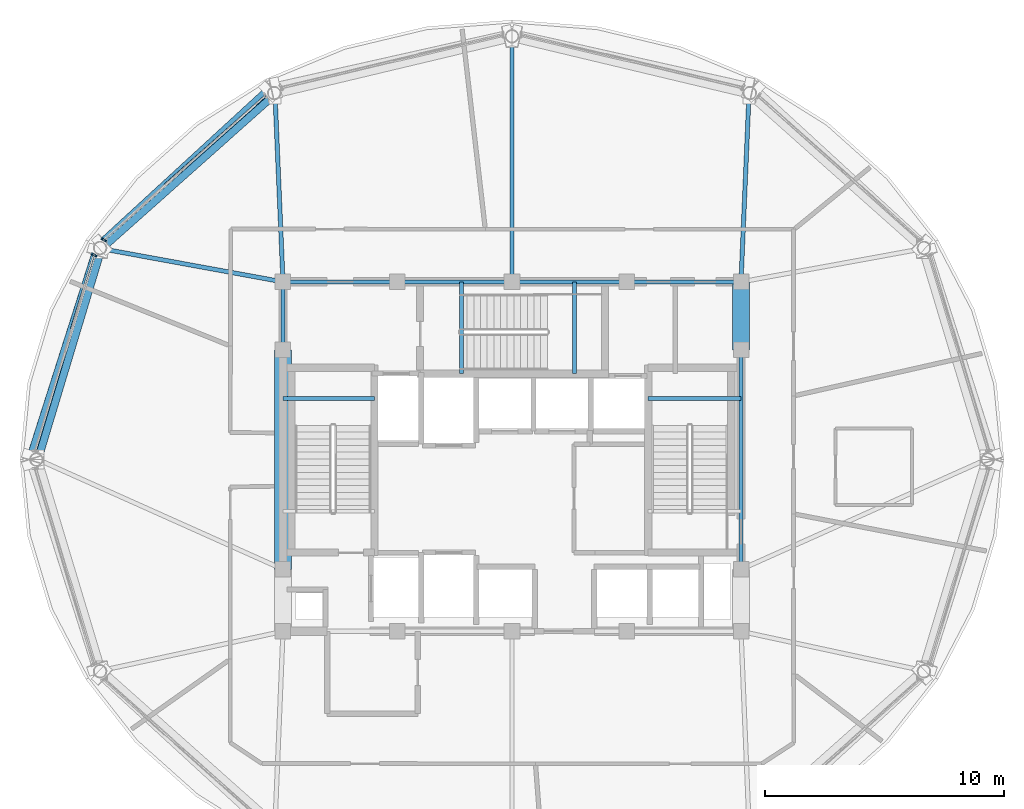
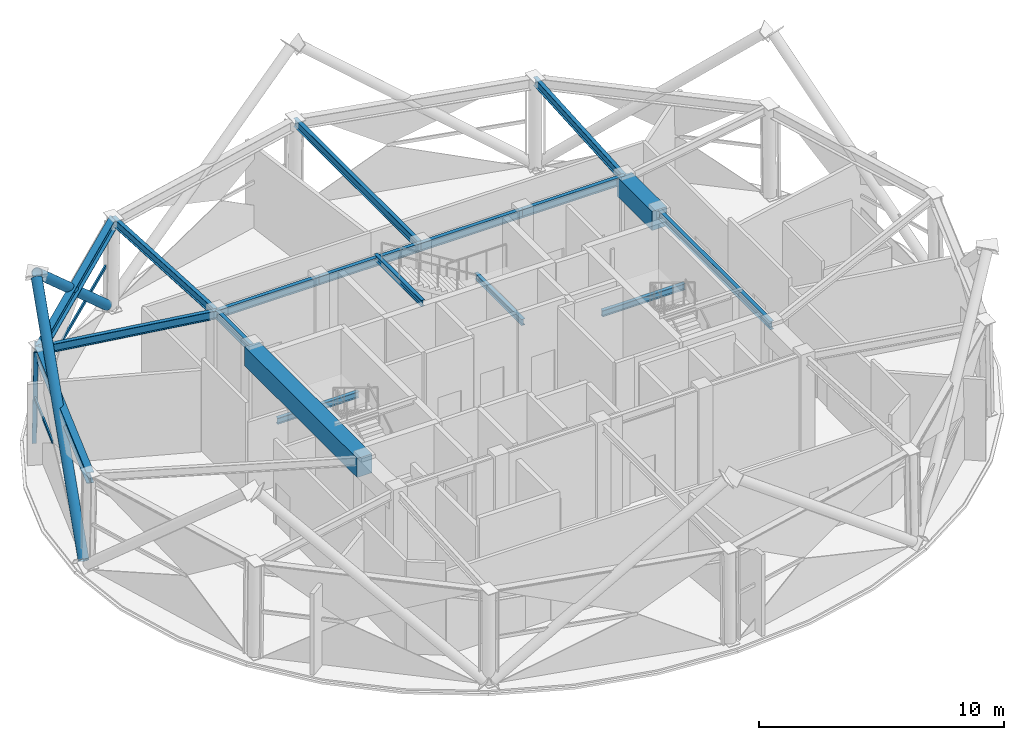
# One storey, part 3 of 14: 18 beams, 6 members, 2 elements without a shape of their own.
"""IFC4 building model written with IfcOpenShell, lengths in metres."""

from ifc_helpers import new_model, si_unit, direction, frame, origin, origin_2d, place, context, subcontext, project, spatial, rectangle, hollow_rectangle, hollow_circle, i_section, extrude, material, layer, layer_set, material_profile, profile_set, type_object, element, aggregate, save


model = new_model("IFC4")

# Units and contexts
model_context = context("Model", 3, precision=1e-05, world=origin(), true_north=direction((0.0, 1.0)))
body_context = subcontext(model_context, "Body", "Model", "MODEL_VIEW")
ifc_project = project(units=[si_unit("LENGTHUNIT", "METRE"), si_unit("AREAUNIT", "SQUARE_METRE"), si_unit("VOLUMEUNIT", "CUBIC_METRE"), si_unit("PLANEANGLEUNIT", "RADIAN"), si_unit("MASSUNIT", "GRAM", prefix="KILO")], contexts=[model_context])

# Site, building, storey
site_placement = place(None, origin())
site = spatial("IfcSite", under=ifc_project, at=site_placement, CompositionType="ELEMENT")
building_placement = place(site_placement, origin())
building = spatial("IfcBuilding", under=site, at=building_placement, Name="Vantalir Tower", CompositionType="ELEMENT")
storey_placement = place(building_placement, frame((0.0, 0.0, 259.050048828125)))
storey = spatial("IfcBuildingStorey", under=building, at=storey_placement, Name="L65", CompositionType="ELEMENT", Elevation=259.050048828125)

# Beams
ifc_material_1 = material(Name="Concrete C60/75", Category="concrete")
ifc_material_profile_1 = material_profile(ifc_material_1, rectangle(XDim=0.699951171875, YDim=0.949951171875, at=origin_2d()), Name="Concrete C60/75")
ifc_profile_set_1 = profile_set([ifc_material_profile_1], Name="Concrete C60/75")
beam_type_1 = type_object("IfcBeamType", Name="BM-CB-700x950", PredefinedType="USERDEFINED", material=ifc_profile_set_1)
beam_1_placement = place(storey_placement, frame((41.10009765625, 29.60009765625, 4.14501953125), z_axis=(0.0, 1.0, 0.0), x_axis=(-1.0, 0.0, 0.0)))
element("IfcBeam", 1, at=beam_1_placement, inside=storey, type_object=beam_type_1, Name="L65 Core Coupling Girder 07", ObjectType="GIRDER", PredefinedType="USERDEFINED", context=body_context, shape_type="SweptSolid", body=[
    extrude(rectangle(XDim=0.699951171875, YDim=0.949951171875, at=origin_2d()), origin(), (0.0, 0.0, 1.0), 2.849853515625),
])
beam_2_placement = place(storey_placement, frame((21.89990234375, 29.60009765625, 4.14501953125), z_axis=(0.0, -1.0, 0.0), x_axis=(1.0, 0.0, 0.0)))
element("IfcBeam", 2, at=beam_2_placement, inside=storey, type_object=beam_type_1, Name="L65 Core Coupling Girder 13", ObjectType="GIRDER", PredefinedType="USERDEFINED", context=body_context, shape_type="SweptSolid", body=[
    extrude(rectangle(XDim=0.699951171875, YDim=0.949951171875, at=origin_2d()), origin(), (0.0, 0.0, 1.0), 9.2001953125),
])
ifc_material_2 = material(Name="Steel S355", Category="steel")
ifc_material_profile_2 = material_profile(ifc_material_2, i_section(OverallWidth=0.166015625, OverallDepth=0.306884765625, WebThickness=0.006591796875, FlangeThickness=0.01171875, at=origin_2d()), Name="Steel S355")
ifc_profile_set_2 = profile_set([ifc_material_profile_2], Name="Steel S355")
beam_type_2 = type_object("IfcBeamType", Name="BM-JS-305x165", PredefinedType="JOIST", material=ifc_profile_set_2)
beam_3_placement = place(storey_placement, frame((21.89990234375, 27.56494140625, 2.0458984375), z_axis=(1.0, 0.0, 0.0), x_axis=(0.0, 1.0, 0.0)))
element("IfcBeam", 3, at=beam_3_placement, inside=storey, type_object=beam_type_2, Name="L65 Stair ST1 Half-Landing Support Beam", PredefinedType="JOIST", context=body_context, shape_type="SweptSolid", body=[
    extrude(i_section(OverallWidth=0.166015625, OverallDepth=0.306884765625, WebThickness=0.006591796875, FlangeThickness=0.01171875, at=origin_2d()), origin(), (0.0, 0.0, 1.0), 3.840087890625),
])
beam_4_placement = place(storey_placement, frame((37.2099609375, 27.56494140625, 2.0458984375), z_axis=(1.0, 0.0, 0.0), x_axis=(0.0, 1.0, 0.0)))
element("IfcBeam", 4, at=beam_4_placement, inside=storey, type_object=beam_type_2, Name="L65 Stair ST2 Half-Landing Support Beam", PredefinedType="JOIST", context=body_context, shape_type="SweptSolid", body=[
    extrude(i_section(OverallWidth=0.166015625, OverallDepth=0.306884765625, WebThickness=0.006591796875, FlangeThickness=0.01171875, at=origin_2d()), origin(), (0.0, 0.0, 1.0), 3.89013671875),
])
for number, where, z_axis, x_axis, name in (
    (5, (29.385009765625, 28.60009765625, 4.64599609375), (0.0, 1.0, 0.0), (-1.0, 0.0, 0.0), "L66 Stair ST3 Well Nosing Trimmer Beam"),
    (6, (34.114990234375, 28.60009765625, 2.0458984375), (0.0, 1.0, 0.0), (-1.0, 0.0, 0.0), "L65 Stair ST3 Half-Landing Support Beam"),
):
    element("IfcBeam", number, at=place(storey_placement, frame(where, z_axis=z_axis, x_axis=x_axis)), inside=storey, type_object=beam_type_2, Name=name, PredefinedType="JOIST", context=body_context, shape_type="SweptSolid", body=[
        extrude(i_section(OverallWidth=0.166015625, OverallDepth=0.306884765625, WebThickness=0.006591796875, FlangeThickness=0.01171875, at=origin_2d()), origin(), (0.0, 0.0, 1.0), 3.849853515625),
    ])
ifc_material_profile_3 = material_profile(ifc_material_2, i_section(OverallWidth=0.179931640625, OverallDepth=0.4130859375, WebThickness=0.009521484375, FlangeThickness=0.01611328125, at=origin_2d()), Name="Steel S355")
ifc_profile_set_3 = profile_set([ifc_material_profile_3], Name="Steel S355")
beam_type_3 = type_object("IfcBeamType", Name="BM-RB-406x178", PredefinedType="BEAM", material=ifc_profile_set_3)
beam_5_placement = place(storey_placement, frame((41.10009765625, 20.39990234375, 4.4140625), z_axis=(0.0, 1.0, 0.0), x_axis=(-1.0, 0.0, 0.0)))
element("IfcBeam", 7, at=beam_5_placement, inside=storey, type_object=beam_type_3, Name="L65 Core Coupling Girder 06", PredefinedType="BEAM", context=body_context, shape_type="SweptSolid", body=[
    extrude(i_section(OverallWidth=0.179931640625, OverallDepth=0.4130859375, WebThickness=0.009521484375, FlangeThickness=0.01611328125, at=origin_2d()), origin(), (0.0, 0.0, 1.0), 9.2001953125),
])
for number, where, z_axis, x_axis, name in (
    (8, (41.10009765625, 32.449951171875, 4.4140625), (-1.0, 0.0, 0.0), (0.0, -1.0, 0.0), "L65 Core Coupling Girder 08"),
    (9, (36.300048828125, 32.449951171875, 4.4140625), (-1.0, 0.0, 0.0), (0.0, -1.0, 0.0), "L65 Core Coupling Girder 09"),
    (10, (31.5, 32.449951171875, 4.4140625), (-1.0, 0.0, 0.0), (0.0, -1.0, 0.0), "L65 Core Coupling Girder 10"),
    (11, (26.699951171875, 32.449951171875, 4.4140625), (-1.0, 0.0, 0.0), (0.0, -1.0, 0.0), "L65 Core Coupling Girder 11"),
):
    element("IfcBeam", number, at=place(storey_placement, frame(where, z_axis=z_axis, x_axis=x_axis)), inside=storey, type_object=beam_type_3, Name=name, PredefinedType="BEAM", context=body_context, shape_type="SweptSolid", body=[
        extrude(i_section(OverallWidth=0.179931640625, OverallDepth=0.4130859375, WebThickness=0.009521484375, FlangeThickness=0.01611328125, at=origin_2d()), origin(), (0.0, 0.0, 1.0), 4.800048828125),
    ])
beam_6_placement = place(storey_placement, frame((21.89990234375, 32.449951171875, 4.4140625), z_axis=(0.0, -1.0, 0.0), x_axis=(1.0, 0.0, 0.0)))
element("IfcBeam", 12, at=beam_6_placement, inside=storey, type_object=beam_type_3, Name="L65 Core Coupling Girder 12", PredefinedType="BEAM", context=body_context, shape_type="SweptSolid", body=[
    extrude(i_section(OverallWidth=0.179931640625, OverallDepth=0.4130859375, WebThickness=0.009521484375, FlangeThickness=0.01611328125, at=origin_2d()), origin(), (0.0, 0.0, 1.0), 2.849853515625),
])
beam_7_placement = place(storey_placement, frame((41.43505859375, 40.31298828125, 4.4140625), z_axis=(-0.042560834584, -0.99909387715, 0.0), x_axis=(0.99909387715, -0.042560834584, 0.0)))
element("IfcBeam", 13, at=beam_7_placement, inside=storey, type_object=beam_type_3, Name="L65 Radial Floor Beam 03", PredefinedType="BEAM", context=body_context, shape_type="SweptSolid", body=[
    extrude(i_section(OverallWidth=0.179931640625, OverallDepth=0.4130859375, WebThickness=0.009521484375, FlangeThickness=0.01611328125, at=origin_2d()), origin(), (0.0, 0.0, 1.0), 7.8701171875),
])
beam_8_placement = place(storey_placement, frame((31.5, 42.681884765625, 4.4140625), z_axis=(0.0, -1.0, 0.0), x_axis=(1.0, 0.0, 0.0)))
element("IfcBeam", 14, at=beam_8_placement, inside=storey, type_object=beam_type_3, Name="L65 Radial Floor Beam 04", PredefinedType="BEAM", context=body_context, shape_type="SweptSolid", body=[
    extrude(i_section(OverallWidth=0.179931640625, OverallDepth=0.4130859375, WebThickness=0.009521484375, FlangeThickness=0.01611328125, at=origin_2d()), origin(), (0.0, 0.0, 1.0), 10.23193359375),
])
beam_9_placement = place(storey_placement, frame((21.56494140625, 40.31298828125, 4.4140625), z_axis=(0.042560834584, -0.99909387715, 0.0), x_axis=(0.99909387715, 0.042560834584, 0.0)))
element("IfcBeam", 15, at=beam_9_placement, inside=storey, type_object=beam_type_3, Name="L65 Radial Floor Beam 05", PredefinedType="BEAM", context=body_context, shape_type="SweptSolid", body=[
    extrude(i_section(OverallWidth=0.179931640625, OverallDepth=0.4130859375, WebThickness=0.009521484375, FlangeThickness=0.01611328125, at=origin_2d()), origin(), (0.0, 0.0, 1.0), 7.8701171875),
])
beam_10_placement = place(storey_placement, frame((14.2919921875, 33.841064453125, 4.4140625), z_axis=(0.983690623214, -0.1798687238, 0.0), x_axis=(0.1798687238, 0.983690623214, 0.0)))
element("IfcBeam", 16, at=beam_10_placement, inside=storey, type_object=beam_type_3, Name="L65 Radial Floor Beam 06", PredefinedType="BEAM", context=body_context, shape_type="SweptSolid", body=[
    extrude(i_section(OverallWidth=0.179931640625, OverallDepth=0.4130859375, WebThickness=0.009521484375, FlangeThickness=0.01611328125, at=origin_2d()), origin(), (0.0, 0.0, 1.0), 7.734130859375),
])
ifc_material_3 = material(Name="Steel S460", Category="steel")
ifc_material_profile_4 = material_profile(ifc_material_3, i_section(OverallWidth=0.31201171875, OverallDepth=0.5419921875, WebThickness=0.0126953125, FlangeThickness=0.020263671875, at=origin_2d()), Name="Steel S460")
ifc_profile_set_4 = profile_set([ifc_material_profile_4], Name="Steel S460")
beam_type_4 = type_object("IfcBeamType", Name="BM-RG-533x312", PredefinedType="USERDEFINED", material=ifc_profile_set_4)
beam_11_placement = place(storey_placement, frame((21.56494140625, 40.31298828125, 4.348876953125), z_axis=(-0.747048097414, -0.664769990411, 0.0), x_axis=(0.664769990411, -0.747048097414, 0.0)))
element("IfcBeam", 17, at=beam_11_placement, inside=storey, type_object=beam_type_4, Name="L65 Circumferential Ring Girder 05", ObjectType="GIRDER", PredefinedType="USERDEFINED", context=body_context, shape_type="SweptSolid", body=[
    extrude(i_section(OverallWidth=0.31201171875, OverallDepth=0.5419921875, WebThickness=0.0126953125, FlangeThickness=0.020263671875, at=origin_2d()), origin(), (0.0, 0.0, 1.0), 9.735595703125),
])
beam_12_placement = place(storey_placement, frame((14.2919921875, 33.841064453125, 4.348876953125), z_axis=(-0.288320501525, -0.957533962009, 0.0), x_axis=(0.957533962009, -0.288320501525, 0.0)))
element("IfcBeam", 18, at=beam_12_placement, inside=storey, type_object=beam_type_4, Name="L65 Circumferential Ring Girder 06", ObjectType="GIRDER", PredefinedType="USERDEFINED", context=body_context, shape_type="SweptSolid", body=[
    extrude(i_section(OverallWidth=0.31201171875, OverallDepth=0.5419921875, WebThickness=0.0126953125, FlangeThickness=0.020263671875, at=origin_2d()), origin(), (0.0, 0.0, 1.0), 9.233154296875),
])

# Curtain wall, member
ifc_material_4 = material(Name="Champagne-silver PVDF aluminium and double-silver Low-E glass", Category="aluminium")
ifc_layer = layer(ifc_material_4, 0.22998046875)
ifc_layer_set = layer_set([ifc_layer], Name="Champagne-silver PVDF aluminium and double-silver Low-E glass")
curtain_wall_type = type_object("IfcCurtainWallType", Name="CW-SKYLOBBY", PredefinedType="USERDEFINED", material=ifc_layer_set)
curtain_wall_1_placement = place(storey_placement, origin())
curtain_wall_1 = element("IfcCurtainWall", 19, at=curtain_wall_1_placement, inside=storey, type_object=curtain_wall_type, Name="L65 Quilted Pyramid-Diamond Curtain Wall S05", ObjectType="UNITISED CURTAIN WALL", PredefinedType="USERDEFINED")
ifc_material_5 = material(Name="Champagne-silver PVDF aluminium 6063-T6", Category="aluminium")
ifc_material_profile_5 = material_profile(ifc_material_5, hollow_rectangle(XDim=0.074951171875, YDim=0.179931640625, WallThickness=0.00390625, at=origin_2d()), Name="Champagne-silver PVDF aluminium 6063-T6")
ifc_profile_set_5 = profile_set([ifc_material_profile_5], Name="Champagne-silver PVDF aluminium 6063-T6")
member_type_1 = type_object("IfcMemberType", Name="CWM-180x75", PredefinedType="MULLION", material=ifc_profile_set_5)
member_1_placement = place(storey_placement, frame((14.34912109375, 34.23095703125, 0.044921875), z_axis=(0.01541132096, -0.007921203431, 0.99984986159), x_axis=(0.457137201468, 0.88939618789, 0.0)))
member_1 = element("IfcMember", 20, at=member_1_placement, type_object=member_type_1, Name="CW-L65-S05 Mullion 2", PredefinedType="MULLION", context=body_context, shape_type="SweptSolid", body=[
    extrude(hollow_rectangle(XDim=0.074951171875, YDim=0.179931640625, WallThickness=0.00390625, at=origin_2d()), origin(), (0.0, 0.0, 1.0), 4.53076171875),
])

curtain_wall_2_placement = place(storey_placement, origin())
curtain_wall_2 = element("IfcCurtainWall", 21, at=curtain_wall_2_placement, inside=storey, type_object=curtain_wall_type, Name="L65 Quilted Pyramid-Diamond Curtain Wall S06", ObjectType="UNITISED CURTAIN WALL", PredefinedType="USERDEFINED")
member_2_placement = place(storey_placement, frame((13.946044921875, 33.59912109375, 0.044921875), z_axis=(0.015465187209, -0.007975079118, 0.999848601588), x_axis=(0.458327357576, 0.888783456921, 0.0)))
member_2 = element("IfcMember", 22, at=member_2_placement, type_object=member_type_1, Name="CW-L65-S06 Mullion 1", PredefinedType="MULLION", context=body_context, shape_type="SweptSolid", body=[
    extrude(hollow_rectangle(XDim=0.074951171875, YDim=0.179931640625, WallThickness=0.00390625, at=origin_2d()), origin(), (0.0, 0.0, 1.0), 4.53076171875),
])

# Member
ifc_material_profile_6 = material_profile(ifc_material_5, hollow_rectangle(XDim=0.074951171875, YDim=0.159912109375, WallThickness=0.00390625, at=origin_2d()), Name="Champagne-silver PVDF aluminium 6063-T6")
ifc_profile_set_6 = profile_set([ifc_material_profile_6], Name="Champagne-silver PVDF aluminium 6063-T6")
member_type_2 = type_object("IfcMemberType", Name="CWT-160x75", PredefinedType="USERDEFINED", material=ifc_profile_set_6)
member_3_placement = place(storey_placement, frame((21.158935546875, 40.25, 2.31005859375), z_axis=(-0.749363111536, -0.662159291311, 0.0), x_axis=(0.662159291311, -0.749363111536, 0.0)))
member_3 = element("IfcMember", 23, at=member_3_placement, type_object=member_type_2, Name="CW-L65-S05 Pyramid Fold Ridge Transom", ObjectType="TRANSOM", PredefinedType="USERDEFINED", context=body_context, shape_type="SweptSolid", body=[
    extrude(hollow_rectangle(XDim=0.074951171875, YDim=0.159912109375, WallThickness=0.00390625, at=origin_2d()), origin(), (0.0, 0.0, 1.0), 5.630126953125),
])

aggregate(curtain_wall_1, [member_1, member_3])

member_4_placement = place(storey_placement, frame((13.98095703125, 33.5810546875, 2.31005859375), z_axis=(-0.295033818755, -0.955486810893, 0.0), x_axis=(0.955486810893, -0.295033818755, 0.0)))
member_4 = element("IfcMember", 24, at=member_4_placement, type_object=member_type_2, Name="CW-L65-S06 Pyramid Fold Ridge Transom", ObjectType="TRANSOM", PredefinedType="USERDEFINED", context=body_context, shape_type="SweptSolid", body=[
    extrude(hollow_rectangle(XDim=0.074951171875, YDim=0.159912109375, WallThickness=0.00390625, at=origin_2d()), origin(), (0.0, 0.0, 1.0), 3.257080078125),
])

aggregate(curtain_wall_2, [member_2, member_4])

# Members
ifc_material_profile_7 = material_profile(ifc_material_3, hollow_circle(Radius=0.22998046875, WallThickness=0.028076171875, at=origin_2d()), Name="Steel S460")
ifc_profile_set_7 = profile_set([ifc_material_profile_7], Name="Steel S460")
member_type_3 = type_object("IfcMemberType", Name="MEM-DB-460x28", PredefinedType="BRACE", material=ifc_profile_set_7)
member_5_placement = place(storey_placement, frame((21.305908203125, 40.426025390625, 0.220947265625), z_axis=(-0.565142980115, -0.518801650812, 0.6414501221), x_axis=(0.676258465273, -0.736664433882, 0.0)))
element("IfcMember", 25, at=member_5_placement, inside=storey, type_object=member_type_3, Name="L65 Perimeter S460 Diagrid Brace R13L", PredefinedType="BRACE", context=body_context, shape_type="SweptSolid", body=[
    extrude(hollow_circle(Radius=0.22998046875, WallThickness=0.028076171875, at=origin_2d()), origin(), (0.0, 0.0, 1.0), 12.359375),
])
member_6_placement = place(storey_placement, frame((11.409912109375, 25.156982421875, 0.224853515625), z_axis=(0.228136821215, 0.715646751269, 0.660154010973), x_axis=(-0.952759834485, 0.303724707246, 0.0)))
element("IfcMember", 26, at=member_6_placement, inside=storey, type_object=member_type_3, Name="L65 Perimeter S460 Diagrid Brace R19R", PredefinedType="BRACE", context=body_context, shape_type="SweptSolid", body=[
    extrude(hollow_circle(Radius=0.22998046875, WallThickness=0.028076171875, at=origin_2d()), origin(), (0.0, 0.0, 1.0), 11.99755859375),
])

save(model, "model.ifc")
